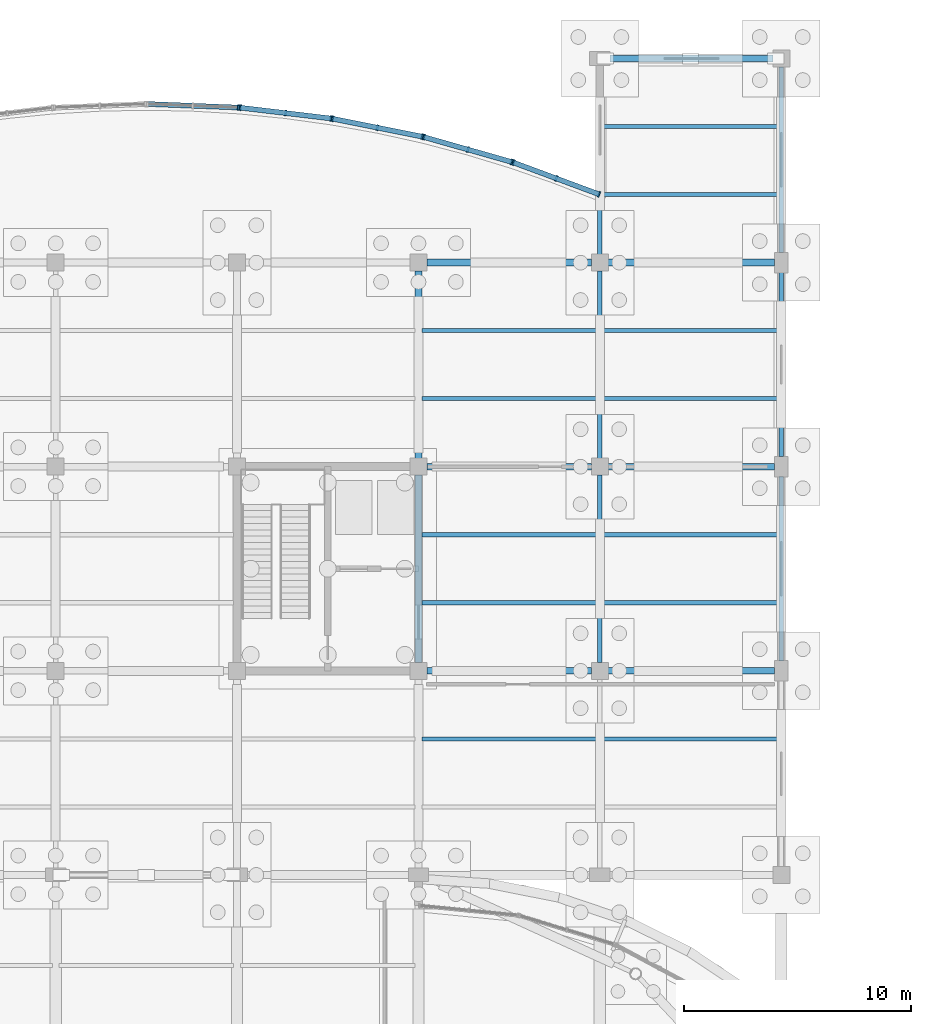
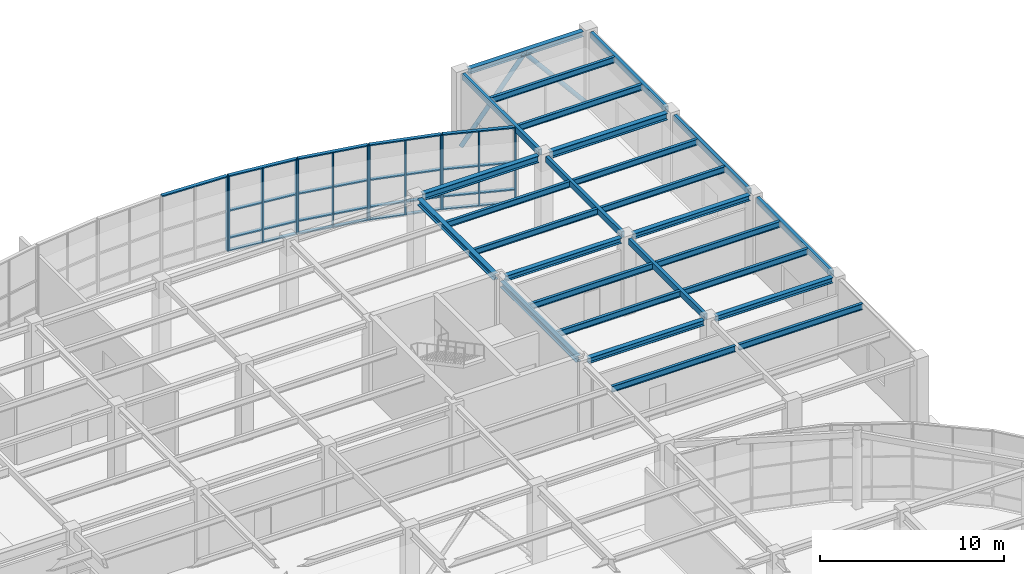
# One storey, part 50 of 85: 32 members, 27 beams, 5 elements without a shape of their own.
"""IFC4 building model written with IfcOpenShell, lengths in metres."""

from ifc_helpers import new_model, si_unit, direction, frame, origin, origin_2d, place, context, subcontext, project, spatial, rectangle, hollow_rectangle, hollow_circle, i_section, extrude, material, layer, layer_set, material_profile, profile_set, type_object, element, aggregate, save


model = new_model("IFC4")

# Units and contexts
model_context = context("Model", 3, precision=1e-05, world=origin(), true_north=direction((0.0, 1.0)))
body_context = subcontext(model_context, "Body", "Model", "MODEL_VIEW")
ifc_project = project(units=[si_unit("LENGTHUNIT", "METRE"), si_unit("AREAUNIT", "SQUARE_METRE"), si_unit("VOLUMEUNIT", "CUBIC_METRE"), si_unit("PLANEANGLEUNIT", "RADIAN"), si_unit("MASSUNIT", "GRAM", prefix="KILO")], contexts=[model_context])

# Site, building, storey
site_placement = place(None, origin())
site = spatial("IfcSite", under=ifc_project, at=site_placement, CompositionType="ELEMENT")
building_placement = place(site_placement, origin())
building = spatial("IfcBuilding", under=site, at=building_placement, Name="Keelwater Ferry Terminal", CompositionType="ELEMENT")
storey_placement = place(building_placement, origin())
storey = spatial("IfcBuildingStorey", under=building, at=storey_placement, Name="L00", CompositionType="ELEMENT", Elevation=0.0)

# Members
ifc_material_1 = material(Name="Steel S355", Category="steel")
ifc_material_profile_1 = material_profile(ifc_material_1, hollow_circle(Radius=0.136474609375, WallThickness=0.012451171875, at=origin_2d()), Name="CHS 273x12.5")
ifc_profile_set_1 = profile_set([ifc_material_profile_1], Name="Steel S355")
member_type_1 = type_object("IfcMemberType", Name="BR2 CHS 273x12.5", PredefinedType="BRACE", material=ifc_profile_set_1)
for number, where, z_axis, x_axis, name in (
    (1, (172.0, 126.0, 0.0), (0.63939331492, 0.0, 0.768879827304), (0.0, 1.0, 0.0), "Structural Member MB-L00-0579"),
    (2, (180.0, 126.0, 0.0), (-0.63939331492, 0.0, 0.768879827304), (0.0, -1.0, 0.0), "Structural Member MB-L00-0580"),
):
    element("IfcMember", number, at=place(storey_placement, frame(where, z_axis=z_axis, x_axis=x_axis)), inside=storey, type_object=member_type_1, Name=name, PredefinedType="BRACE", context=body_context, shape_type="SweptSolid", body=[
        extrude(hollow_circle(Radius=0.136474609375, WallThickness=0.012451171875, at=origin_2d()), origin(), (0.0, 0.0, 1.0), 6.255859375),
    ])

# Curtain wall, members
ifc_material_2 = material(Name="Thermally broken unitised aluminium and triple glass", Category="aluminium")
ifc_layer = layer(ifc_material_2, 0.179931640625)
ifc_layer_set = layer_set([ifc_layer], Name="Thermally broken unitised aluminium and triple glass")
curtain_wall_type = type_object("IfcCurtainWallType", Name="CW-20 Unitised Curtain Wall 4015x4950", PredefinedType="USERDEFINED", material=ifc_layer_set)
curtain_wall_1_placement = place(storey_placement, origin())
curtain_wall_1 = element("IfcCurtainWall", 3, at=curtain_wall_1_placement, inside=storey, type_object=curtain_wall_type, Name="Unitised Curtain Wall CW-L00-173", ObjectType="UNITISED CURTAIN WALL", PredefinedType="USERDEFINED")
ifc_material_3 = material(Name="Aluminium mullion", Category="aluminium")
ifc_material_profile_2 = material_profile(ifc_material_3, rectangle(XDim=0.080078125, YDim=0.25, at=origin_2d()), Name="CWM-04")
ifc_profile_set_2 = profile_set([ifc_material_profile_2], Name="Aluminium mullion")
member_type_2 = type_object("IfcMemberType", Name="CWM-04 Curtain Mullion 80x250", PredefinedType="MULLION", material=ifc_profile_set_2)
member_1_placement = place(storey_placement, frame((171.9580078125, 120.01611328125, 0.0), z_axis=(0.0, 0.0, 1.0), x_axis=(-0.937592418253, 0.347736189136, 0.0)))
member_1 = element("IfcMember", 4, at=member_1_placement, type_object=member_type_2, Name="CW-L00-173 Mullion 1", PredefinedType="MULLION", context=body_context, shape_type="SweptSolid", body=[
    extrude(rectangle(XDim=0.080078125, YDim=0.25, at=origin_2d()), origin(), (0.0, 0.0, 1.0), 4.949951171875),
])
member_2_placement = place(storey_placement, frame((170.075927734375, 120.714111328125, 0.0), z_axis=(0.0, 0.0, 1.0), x_axis=(-0.937592418253, 0.347736189136, 0.0)))
member_2 = element("IfcMember", 5, at=member_2_placement, type_object=member_type_2, Name="CW-L00-173 Mullion 2", PredefinedType="MULLION", context=body_context, shape_type="SweptSolid", body=[
    extrude(rectangle(XDim=0.080078125, YDim=0.25, at=origin_2d()), origin(), (0.0, 0.0, 1.0), 4.949951171875),
])
member_3_placement = place(storey_placement, frame((168.194091796875, 121.412109375, 0.0), z_axis=(0.0, 0.0, 1.0), x_axis=(-0.937592418253, 0.347736189136, 0.0)))
member_3 = element("IfcMember", 6, at=member_3_placement, type_object=member_type_2, Name="CW-L00-173 Mullion 3", PredefinedType="MULLION", context=body_context, shape_type="SweptSolid", body=[
    extrude(rectangle(XDim=0.080078125, YDim=0.25, at=origin_2d()), origin(), (0.0, 0.0, 1.0), 4.949951171875),
])

curtain_wall_2_placement = place(storey_placement, origin())
curtain_wall_2 = element("IfcCurtainWall", 7, at=curtain_wall_2_placement, inside=storey, type_object=curtain_wall_type, Name="Unitised Curtain Wall CW-L00-174", ObjectType="UNITISED CURTAIN WALL", PredefinedType="USERDEFINED")
member_4_placement = place(storey_placement, frame((168.10888671875, 121.43994140625, 0.0), z_axis=(0.0, 0.0, 1.0), x_axis=(-0.962029778706, 0.272944508797, 0.0)))
member_4 = element("IfcMember", 8, at=member_4_placement, type_object=member_type_2, Name="CW-L00-174 Mullion 1", PredefinedType="MULLION", context=body_context, shape_type="SweptSolid", body=[
    extrude(rectangle(XDim=0.080078125, YDim=0.25, at=origin_2d()), origin(), (0.0, 0.0, 1.0), 4.949951171875),
])
member_5_placement = place(storey_placement, frame((166.177490234375, 121.988037109375, 0.0), z_axis=(0.0, 0.0, 1.0), x_axis=(-0.962029778706, 0.272944508797, 0.0)))
member_5 = element("IfcMember", 9, at=member_5_placement, type_object=member_type_2, Name="CW-L00-174 Mullion 2", PredefinedType="MULLION", context=body_context, shape_type="SweptSolid", body=[
    extrude(rectangle(XDim=0.080078125, YDim=0.25, at=origin_2d()), origin(), (0.0, 0.0, 1.0), 4.949951171875),
])
member_6_placement = place(storey_placement, frame((164.24609375, 122.535888671875, 0.0), z_axis=(0.0, 0.0, 1.0), x_axis=(-0.962029778706, 0.272944508797, 0.0)))
member_6 = element("IfcMember", 10, at=member_6_placement, type_object=member_type_2, Name="CW-L00-174 Mullion 3", PredefinedType="MULLION", context=body_context, shape_type="SweptSolid", body=[
    extrude(rectangle(XDim=0.080078125, YDim=0.25, at=origin_2d()), origin(), (0.0, 0.0, 1.0), 4.949951171875),
])

curtain_wall_3_placement = place(storey_placement, origin())
curtain_wall_3 = element("IfcCurtainWall", 11, at=curtain_wall_3_placement, inside=storey, type_object=curtain_wall_type, Name="Unitised Curtain Wall CW-L00-175", ObjectType="UNITISED CURTAIN WALL", PredefinedType="USERDEFINED")
member_7_placement = place(storey_placement, frame((164.158935546875, 122.556884765625, 0.0), z_axis=(0.0, 0.0, 1.0), x_axis=(-0.98059983046, 0.196020336958, 0.0)))
member_7 = element("IfcMember", 12, at=member_7_placement, type_object=member_type_2, Name="CW-L00-175 Mullion 1", PredefinedType="MULLION", context=body_context, shape_type="SweptSolid", body=[
    extrude(rectangle(XDim=0.080078125, YDim=0.25, at=origin_2d()), origin(), (0.0, 0.0, 1.0), 4.949951171875),
])
member_8_placement = place(storey_placement, frame((162.1904296875, 122.950439453125, 0.0), z_axis=(0.0, 0.0, 1.0), x_axis=(-0.98059983046, 0.196020336958, 0.0)))
member_8 = element("IfcMember", 13, at=member_8_placement, type_object=member_type_2, Name="CW-L00-175 Mullion 2", PredefinedType="MULLION", context=body_context, shape_type="SweptSolid", body=[
    extrude(rectangle(XDim=0.080078125, YDim=0.25, at=origin_2d()), origin(), (0.0, 0.0, 1.0), 4.949951171875),
])
member_9_placement = place(storey_placement, frame((160.221923828125, 123.343994140625, 0.0), z_axis=(0.0, 0.0, 1.0), x_axis=(-0.98059983046, 0.196020336958, 0.0)))
member_9 = element("IfcMember", 14, at=member_9_placement, type_object=member_type_2, Name="CW-L00-175 Mullion 3", PredefinedType="MULLION", context=body_context, shape_type="SweptSolid", body=[
    extrude(rectangle(XDim=0.080078125, YDim=0.25, at=origin_2d()), origin(), (0.0, 0.0, 1.0), 4.949951171875),
])

curtain_wall_4_placement = place(storey_placement, origin())
curtain_wall_4 = element("IfcCurtainWall", 15, at=curtain_wall_4_placement, inside=storey, type_object=curtain_wall_type, Name="Unitised Curtain Wall CW-L00-176", ObjectType="UNITISED CURTAIN WALL", PredefinedType="USERDEFINED")
member_10_placement = place(storey_placement, frame((160.133056640625, 123.35791015625, 0.0), z_axis=(0.0, 0.0, 1.0), x_axis=(-0.992974342459, 0.118329857676, 0.0)))
member_10 = element("IfcMember", 16, at=member_10_placement, type_object=member_type_2, Name="CW-L00-176 Mullion 1", PredefinedType="MULLION", context=body_context, shape_type="SweptSolid", body=[
    extrude(rectangle(XDim=0.080078125, YDim=0.25, at=origin_2d()), origin(), (0.0, 0.0, 1.0), 4.949951171875),
])
member_11_placement = place(storey_placement, frame((158.139892578125, 123.595458984375, 0.0), z_axis=(0.0, 0.0, 1.0), x_axis=(-0.992974342459, 0.118329857676, 0.0)))
member_11 = element("IfcMember", 17, at=member_11_placement, type_object=member_type_2, Name="CW-L00-176 Mullion 2", PredefinedType="MULLION", context=body_context, shape_type="SweptSolid", body=[
    extrude(rectangle(XDim=0.080078125, YDim=0.25, at=origin_2d()), origin(), (0.0, 0.0, 1.0), 4.949951171875),
])
member_12_placement = place(storey_placement, frame((156.14697265625, 123.8330078125, 0.0), z_axis=(0.0, 0.0, 1.0), x_axis=(-0.992974342459, 0.118329857676, 0.0)))
member_12 = element("IfcMember", 18, at=member_12_placement, type_object=member_type_2, Name="CW-L00-176 Mullion 3", PredefinedType="MULLION", context=body_context, shape_type="SweptSolid", body=[
    extrude(rectangle(XDim=0.080078125, YDim=0.25, at=origin_2d()), origin(), (0.0, 0.0, 1.0), 4.949951171875),
])

# Curtain wall, member
curtain_wall_5_placement = place(storey_placement, origin())
curtain_wall_5 = element("IfcCurtainWall", 19, at=curtain_wall_5_placement, inside=storey, type_object=curtain_wall_type, Name="Unitised Curtain Wall CW-L00-177", ObjectType="UNITISED CURTAIN WALL", PredefinedType="USERDEFINED")
member_13_placement = place(storey_placement, frame((156.056884765625, 123.840087890625, 0.0), z_axis=(0.0, 0.0, 1.0), x_axis=(-0.999225435626, 0.039351350652, 0.0)))
member_13 = element("IfcMember", 20, at=member_13_placement, type_object=member_type_2, Name="CW-L00-177 Mullion 1", PredefinedType="MULLION", context=body_context, shape_type="SweptSolid", body=[
    extrude(rectangle(XDim=0.080078125, YDim=0.25, at=origin_2d()), origin(), (0.0, 0.0, 1.0), 4.949951171875),
])

# Member
ifc_material_4 = material(Name="Aluminium mullion", Category="aluminium")
ifc_material_profile_3 = material_profile(ifc_material_4, rectangle(XDim=0.219970703125, YDim=0.080078125, at=origin_2d()), Name="CWT-04")
ifc_profile_set_3 = profile_set([ifc_material_profile_3], Name="Aluminium mullion")
member_type_3 = type_object("IfcMemberType", Name="CWT-04 Curtain Transom 80x220", PredefinedType="USERDEFINED", material=ifc_profile_set_3)
member_14_placement = place(storey_placement, frame((171.9580078125, 120.01611328125, 0.0), z_axis=(-0.937590205769, 0.347742154543, 0.0), x_axis=(-0.347742154543, -0.937590205769, 0.0)))
member_14 = element("IfcMember", 21, at=member_14_placement, type_object=member_type_3, Name="CW-L00-173 Transom 1", ObjectType="TRANSOM", PredefinedType="USERDEFINED", context=body_context, shape_type="SweptSolid", body=[
    extrude(rectangle(XDim=0.219970703125, YDim=0.080078125, at=origin_2d()), origin(), (0.0, 0.0, 1.0), 4.014404296875),
])

member_15_placement = place(storey_placement, frame((171.9580078125, 120.01611328125, 0.85009765625), z_axis=(-0.937590205769, 0.347742154543, 0.0), x_axis=(-0.347742154543, -0.937590205769, 0.0)))
member_15 = element("IfcMember", 22, at=member_15_placement, type_object=member_type_3, Name="CW-L00-173 Transom 2", ObjectType="TRANSOM", PredefinedType="USERDEFINED", context=body_context, shape_type="SweptSolid", body=[
    extrude(rectangle(XDim=0.219970703125, YDim=0.080078125, at=origin_2d()), origin(), (0.0, 0.0, 1.0), 4.014404296875),
])

member_16_placement = place(storey_placement, frame((171.9580078125, 120.01611328125, 2.64990234375), z_axis=(-0.937590205769, 0.347742154543, 0.0), x_axis=(-0.347742154543, -0.937590205769, 0.0)))
member_16 = element("IfcMember", 23, at=member_16_placement, type_object=member_type_3, Name="CW-L00-173 Transom 3", ObjectType="TRANSOM", PredefinedType="USERDEFINED", context=body_context, shape_type="SweptSolid", body=[
    extrude(rectangle(XDim=0.219970703125, YDim=0.080078125, at=origin_2d()), origin(), (0.0, 0.0, 1.0), 4.014404296875),
])

member_17_placement = place(storey_placement, frame((171.9580078125, 120.01611328125, 4.949951171875), z_axis=(-0.937590205769, 0.347742154543, 0.0), x_axis=(-0.347742154543, -0.937590205769, 0.0)))
member_17 = element("IfcMember", 24, at=member_17_placement, type_object=member_type_3, Name="CW-L00-173 Transom 4", ObjectType="TRANSOM", PredefinedType="USERDEFINED", context=body_context, shape_type="SweptSolid", body=[
    extrude(rectangle(XDim=0.219970703125, YDim=0.080078125, at=origin_2d()), origin(), (0.0, 0.0, 1.0), 4.014404296875),
])

aggregate(curtain_wall_1, [member_1, member_2, member_3, member_14, member_15, member_16, member_17])

member_18_placement = place(storey_placement, frame((168.10888671875, 121.43994140625, 0.0), z_axis=(-0.962029386072, 0.272945892686, 0.0), x_axis=(-0.272945892686, -0.962029386072, 0.0)))
member_18 = element("IfcMember", 25, at=member_18_placement, type_object=member_type_3, Name="CW-L00-174 Transom 1", ObjectType="TRANSOM", PredefinedType="USERDEFINED", context=body_context, shape_type="SweptSolid", body=[
    extrude(rectangle(XDim=0.219970703125, YDim=0.080078125, at=origin_2d()), origin(), (0.0, 0.0, 1.0), 4.01513671875),
])

member_19_placement = place(storey_placement, frame((168.10888671875, 121.43994140625, 0.85009765625), z_axis=(-0.962029386072, 0.272945892686, 0.0), x_axis=(-0.272945892686, -0.962029386072, 0.0)))
member_19 = element("IfcMember", 26, at=member_19_placement, type_object=member_type_3, Name="CW-L00-174 Transom 2", ObjectType="TRANSOM", PredefinedType="USERDEFINED", context=body_context, shape_type="SweptSolid", body=[
    extrude(rectangle(XDim=0.219970703125, YDim=0.080078125, at=origin_2d()), origin(), (0.0, 0.0, 1.0), 4.01513671875),
])

member_20_placement = place(storey_placement, frame((168.10888671875, 121.43994140625, 2.64990234375), z_axis=(-0.962029386072, 0.272945892686, 0.0), x_axis=(-0.272945892686, -0.962029386072, 0.0)))
member_20 = element("IfcMember", 27, at=member_20_placement, type_object=member_type_3, Name="CW-L00-174 Transom 3", ObjectType="TRANSOM", PredefinedType="USERDEFINED", context=body_context, shape_type="SweptSolid", body=[
    extrude(rectangle(XDim=0.219970703125, YDim=0.080078125, at=origin_2d()), origin(), (0.0, 0.0, 1.0), 4.01513671875),
])

member_21_placement = place(storey_placement, frame((168.10888671875, 121.43994140625, 4.949951171875), z_axis=(-0.962029386072, 0.272945892686, 0.0), x_axis=(-0.272945892686, -0.962029386072, 0.0)))
member_21 = element("IfcMember", 28, at=member_21_placement, type_object=member_type_3, Name="CW-L00-174 Transom 4", ObjectType="TRANSOM", PredefinedType="USERDEFINED", context=body_context, shape_type="SweptSolid", body=[
    extrude(rectangle(XDim=0.219970703125, YDim=0.080078125, at=origin_2d()), origin(), (0.0, 0.0, 1.0), 4.01513671875),
])

aggregate(curtain_wall_2, [member_4, member_5, member_6, member_18, member_19, member_20, member_21])

member_22_placement = place(storey_placement, frame((164.158935546875, 122.556884765625, 0.0), z_axis=(-0.980594705866, 0.196045971209, 0.0), x_axis=(-0.196045971209, -0.980594705866, 0.0)))
member_22 = element("IfcMember", 29, at=member_22_placement, type_object=member_type_3, Name="CW-L00-175 Transom 1", ObjectType="TRANSOM", PredefinedType="USERDEFINED", context=body_context, shape_type="SweptSolid", body=[
    extrude(rectangle(XDim=0.219970703125, YDim=0.080078125, at=origin_2d()), origin(), (0.0, 0.0, 1.0), 4.014892578125),
])

member_23_placement = place(storey_placement, frame((164.158935546875, 122.556884765625, 0.85009765625), z_axis=(-0.980594705866, 0.196045971209, 0.0), x_axis=(-0.196045971209, -0.980594705866, 0.0)))
member_23 = element("IfcMember", 30, at=member_23_placement, type_object=member_type_3, Name="CW-L00-175 Transom 2", ObjectType="TRANSOM", PredefinedType="USERDEFINED", context=body_context, shape_type="SweptSolid", body=[
    extrude(rectangle(XDim=0.219970703125, YDim=0.080078125, at=origin_2d()), origin(), (0.0, 0.0, 1.0), 4.014892578125),
])

member_24_placement = place(storey_placement, frame((164.158935546875, 122.556884765625, 2.64990234375), z_axis=(-0.980594705866, 0.196045971209, 0.0), x_axis=(-0.196045971209, -0.980594705866, 0.0)))
member_24 = element("IfcMember", 31, at=member_24_placement, type_object=member_type_3, Name="CW-L00-175 Transom 3", ObjectType="TRANSOM", PredefinedType="USERDEFINED", context=body_context, shape_type="SweptSolid", body=[
    extrude(rectangle(XDim=0.219970703125, YDim=0.080078125, at=origin_2d()), origin(), (0.0, 0.0, 1.0), 4.014892578125),
])

member_25_placement = place(storey_placement, frame((164.158935546875, 122.556884765625, 4.949951171875), z_axis=(-0.980594705866, 0.196045971209, 0.0), x_axis=(-0.196045971209, -0.980594705866, 0.0)))
member_25 = element("IfcMember", 32, at=member_25_placement, type_object=member_type_3, Name="CW-L00-175 Transom 4", ObjectType="TRANSOM", PredefinedType="USERDEFINED", context=body_context, shape_type="SweptSolid", body=[
    extrude(rectangle(XDim=0.219970703125, YDim=0.080078125, at=origin_2d()), origin(), (0.0, 0.0, 1.0), 4.014892578125),
])

aggregate(curtain_wall_3, [member_7, member_8, member_9, member_22, member_23, member_24, member_25])

member_26_placement = place(storey_placement, frame((160.133056640625, 123.35791015625, 0.0), z_axis=(-0.992971776767, 0.1183513859, 0.0), x_axis=(-0.1183513859, -0.992971776767, 0.0)))
member_26 = element("IfcMember", 33, at=member_26_placement, type_object=member_type_3, Name="CW-L00-176 Transom 1", ObjectType="TRANSOM", PredefinedType="USERDEFINED", context=body_context, shape_type="SweptSolid", body=[
    extrude(rectangle(XDim=0.219970703125, YDim=0.080078125, at=origin_2d()), origin(), (0.0, 0.0, 1.0), 4.014404296875),
])

member_27_placement = place(storey_placement, frame((160.133056640625, 123.35791015625, 0.85009765625), z_axis=(-0.992971776767, 0.1183513859, 0.0), x_axis=(-0.1183513859, -0.992971776767, 0.0)))
member_27 = element("IfcMember", 34, at=member_27_placement, type_object=member_type_3, Name="CW-L00-176 Transom 2", ObjectType="TRANSOM", PredefinedType="USERDEFINED", context=body_context, shape_type="SweptSolid", body=[
    extrude(rectangle(XDim=0.219970703125, YDim=0.080078125, at=origin_2d()), origin(), (0.0, 0.0, 1.0), 4.014404296875),
])

member_28_placement = place(storey_placement, frame((160.133056640625, 123.35791015625, 2.64990234375), z_axis=(-0.992971776767, 0.1183513859, 0.0), x_axis=(-0.1183513859, -0.992971776767, 0.0)))
member_28 = element("IfcMember", 35, at=member_28_placement, type_object=member_type_3, Name="CW-L00-176 Transom 3", ObjectType="TRANSOM", PredefinedType="USERDEFINED", context=body_context, shape_type="SweptSolid", body=[
    extrude(rectangle(XDim=0.219970703125, YDim=0.080078125, at=origin_2d()), origin(), (0.0, 0.0, 1.0), 4.014404296875),
])

member_29_placement = place(storey_placement, frame((160.133056640625, 123.35791015625, 4.949951171875), z_axis=(-0.992971776767, 0.1183513859, 0.0), x_axis=(-0.1183513859, -0.992971776767, 0.0)))
member_29 = element("IfcMember", 36, at=member_29_placement, type_object=member_type_3, Name="CW-L00-176 Transom 4", ObjectType="TRANSOM", PredefinedType="USERDEFINED", context=body_context, shape_type="SweptSolid", body=[
    extrude(rectangle(XDim=0.219970703125, YDim=0.080078125, at=origin_2d()), origin(), (0.0, 0.0, 1.0), 4.014404296875),
])

aggregate(curtain_wall_4, [member_10, member_11, member_12, member_26, member_27, member_28, member_29])

member_30_placement = place(storey_placement, frame((156.056884765625, 123.840087890625, 4.949951171875), z_axis=(-0.999225822944, 0.03934151448, 0.0), x_axis=(-0.03934151448, -0.999225822944, 0.0)))
member_30 = element("IfcMember", 37, at=member_30_placement, type_object=member_type_3, Name="CW-L00-177 Transom 4", ObjectType="TRANSOM", PredefinedType="USERDEFINED", context=body_context, shape_type="SweptSolid", body=[
    extrude(rectangle(XDim=0.219970703125, YDim=0.080078125, at=origin_2d()), origin(), (0.0, 0.0, 1.0), 4.01513671875),
])

aggregate(curtain_wall_5, [member_13, member_30])

# Beams
ifc_material_5 = material(Name="Steel S355", Category="steel")
ifc_material_profile_4 = material_profile(ifc_material_5, i_section(OverallWidth=0.300048828125, OverallDepth=0.449951171875, WebThickness=0.013916015625, FlangeThickness=0.02587890625, at=origin_2d()), Name="HEB 450")
ifc_profile_set_4 = profile_set([ifc_material_profile_4], Name="Steel S355")
beam_type_1 = type_object("IfcBeamType", Name="G6 HEB 450", PredefinedType="BEAM", material=ifc_profile_set_4)
beam_1_placement = place(storey_placement, frame((164.367919921875, 117.0, 4.8349609375), z_axis=(1.0, 0.0, 0.0), x_axis=(0.0, 1.0, 0.0)))
element("IfcBeam", 38, at=beam_1_placement, inside=storey, type_object=beam_type_1, Name="Beam BM-L00-0144", PredefinedType="BEAM", context=body_context, shape_type="SweptSolid", body=[
    extrude(i_section(OverallWidth=0.300048828125, OverallDepth=0.449951171875, WebThickness=0.013916015625, FlangeThickness=0.02587890625, at=origin_2d()), origin(), (0.0, 0.0, 1.0), 7.26416015625),
])
beam_2_placement = place(storey_placement, frame((172.367919921875, 117.0, 4.8349609375), z_axis=(1.0, 0.0, 0.0), x_axis=(0.0, 1.0, 0.0)))
element("IfcBeam", 39, at=beam_2_placement, inside=storey, type_object=beam_type_1, Name="Beam BM-L00-0145", PredefinedType="BEAM", context=body_context, shape_type="SweptSolid", body=[
    extrude(i_section(OverallWidth=0.300048828125, OverallDepth=0.449951171875, WebThickness=0.013916015625, FlangeThickness=0.02587890625, at=origin_2d()), origin(), (0.0, 0.0, 1.0), 7.338134765625),
])
ifc_material_6 = material(Name="Steel S355", Category="steel")
ifc_material_profile_5 = material_profile(ifc_material_6, i_section(OverallWidth=0.300048828125, OverallDepth=0.39990234375, WebThickness=0.013427734375, FlangeThickness=0.02392578125, at=origin_2d()), Name="HEB 400")
ifc_profile_set_5 = profile_set([ifc_material_profile_5], Name="Steel S355")
beam_type_2 = type_object("IfcBeamType", Name="G7 HEB 400", PredefinedType="BEAM", material=ifc_profile_set_5)
for number, where, z_axis, x_axis, name in (
    (40, (164.0, 99.367919921875, 4.860107421875), (0.0, 1.0, 0.0), (-1.0, 0.0, 0.0), "Beam BM-L00-0290"),
    (41, (164.0, 108.367919921875, 4.860107421875), (0.0, 1.0, 0.0), (-1.0, 0.0, 0.0), "Beam BM-L00-0291"),
):
    element("IfcBeam", number, at=place(storey_placement, frame(where, z_axis=z_axis, x_axis=x_axis)), inside=storey, type_object=beam_type_2, Name=name, PredefinedType="BEAM", context=body_context, shape_type="SweptSolid", body=[
        extrude(i_section(OverallWidth=0.300048828125, OverallDepth=0.39990234375, WebThickness=0.013427734375, FlangeThickness=0.02392578125, at=origin_2d()), origin(), (0.0, 0.0, 1.0), 8.26416015625),
    ])
ifc_material_7 = material(Name="Steel S355", Category="steel")
ifc_material_profile_6 = material_profile(ifc_material_7, i_section(OverallWidth=0.179931640625, OverallDepth=0.39990234375, WebThickness=0.008544921875, FlangeThickness=0.013427734375, at=origin_2d()), Name="IPE 400")
ifc_profile_set_6 = profile_set([ifc_material_profile_6], Name="Steel S355")
beam_type_3 = type_object("IfcBeamType", Name="J5 IPE 400", PredefinedType="JOIST", material=ifc_profile_set_6)
for number, where, z_axis, x_axis, name in (
    (42, (164.14990234375, 96.0, 4.860107421875), (1.0, 0.0, 0.0), (0.0, 1.0, 0.0), "Beam BM-L00-0568"),
    (43, (164.14990234375, 102.0, 4.860107421875), (1.0, 0.0, 0.0), (0.0, 1.0, 0.0), "Beam BM-L00-0569"),
    (44, (164.14990234375, 105.0, 4.860107421875), (1.0, 0.0, 0.0), (0.0, 1.0, 0.0), "Beam BM-L00-0570"),
    (45, (164.14990234375, 111.0, 4.860107421875), (1.0, 0.0, 0.0), (0.0, 1.0, 0.0), "Beam BM-L00-0571"),
    (46, (164.14990234375, 114.0, 4.860107421875), (1.0, 0.0, 0.0), (0.0, 1.0, 0.0), "Beam BM-L00-0572"),
):
    element("IfcBeam", number, at=place(storey_placement, frame(where, z_axis=z_axis, x_axis=x_axis)), inside=storey, type_object=beam_type_3, Name=name, PredefinedType="JOIST", context=body_context, shape_type="SweptSolid", body=[
        extrude(i_section(OverallWidth=0.179931640625, OverallDepth=0.39990234375, WebThickness=0.008544921875, FlangeThickness=0.013427734375, at=origin_2d()), origin(), (0.0, 0.0, 1.0), 7.75),
    ])
for number, where, z_axis, x_axis, name in (
    (47, (172.10009765625, 96.0, 4.860107421875), (1.0, 0.0, 0.0), (0.0, 1.0, 0.0), "Beam BM-L00-0578"),
    (48, (172.10009765625, 102.0, 4.860107421875), (1.0, 0.0, 0.0), (0.0, 1.0, 0.0), "Beam BM-L00-0579"),
    (49, (172.10009765625, 105.0, 4.860107421875), (1.0, 0.0, 0.0), (0.0, 1.0, 0.0), "Beam BM-L00-0580"),
    (50, (172.10009765625, 111.0, 4.860107421875), (1.0, 0.0, 0.0), (0.0, 1.0, 0.0), "Beam BM-L00-0581"),
    (51, (172.10009765625, 114.0, 4.860107421875), (1.0, 0.0, 0.0), (0.0, 1.0, 0.0), "Beam BM-L00-0582"),
    (52, (172.10009765625, 120.0, 4.860107421875), (1.0, 0.0, 0.0), (0.0, 1.0, 0.0), "Beam BM-L00-0583"),
    (53, (172.10009765625, 123.0, 4.860107421875), (1.0, 0.0, 0.0), (0.0, 1.0, 0.0), "Beam BM-L00-0584"),
):
    element("IfcBeam", number, at=place(storey_placement, frame(where, z_axis=z_axis, x_axis=x_axis)), inside=storey, type_object=beam_type_3, Name=name, PredefinedType="JOIST", context=body_context, shape_type="SweptSolid", body=[
        extrude(i_section(OverallWidth=0.179931640625, OverallDepth=0.39990234375, WebThickness=0.008544921875, FlangeThickness=0.013427734375, at=origin_2d()), origin(), (0.0, 0.0, 1.0), 7.7998046875),
    ])
ifc_material_8 = material(Name="Steel S355", Category="steel")
ifc_material_profile_7 = material_profile(ifc_material_8, i_section(OverallWidth=0.300048828125, OverallDepth=0.35009765625, WebThickness=0.010009765625, FlangeThickness=0.017578125, at=origin_2d()), Name="HEA 360")
ifc_profile_set_7 = profile_set([ifc_material_profile_7], Name="Steel S355")
beam_type_4 = type_object("IfcBeamType", Name="SP1E HEA 360", PredefinedType="SPANDREL", material=ifc_profile_set_7)
beam_3_placement = place(storey_placement, frame((164.367919921875, 99.0, 4.885009765625), z_axis=(1.0, 0.0, 0.0), x_axis=(0.0, 1.0, 0.0)))
element("IfcBeam", 54, at=beam_3_placement, inside=storey, type_object=beam_type_4, Name="Beam BM-L00-0115", PredefinedType="SPANDREL", context=body_context, shape_type="SweptSolid", body=[
    extrude(i_section(OverallWidth=0.300048828125, OverallDepth=0.35009765625, WebThickness=0.010009765625, FlangeThickness=0.017578125, at=origin_2d()), origin(), (0.0, 0.0, 1.0), 7.26416015625),
])
beam_4_placement = place(storey_placement, frame((172.367919921875, 99.0, 4.885009765625), z_axis=(1.0, 0.0, 0.0), x_axis=(0.0, 1.0, 0.0)))
element("IfcBeam", 55, at=beam_4_placement, inside=storey, type_object=beam_type_4, Name="Beam BM-L00-0116", PredefinedType="SPANDREL", context=body_context, shape_type="SweptSolid", body=[
    extrude(i_section(OverallWidth=0.300048828125, OverallDepth=0.35009765625, WebThickness=0.010009765625, FlangeThickness=0.017578125, at=origin_2d()), origin(), (0.0, 0.0, 1.0), 7.338134765625),
])
beam_5_placement = place(storey_placement, frame((164.367919921875, 108.0, 4.885009765625), z_axis=(1.0, 0.0, 0.0), x_axis=(0.0, 1.0, 0.0)))
element("IfcBeam", 56, at=beam_5_placement, inside=storey, type_object=beam_type_4, Name="Beam BM-L00-0131", PredefinedType="SPANDREL", context=body_context, shape_type="SweptSolid", body=[
    extrude(i_section(OverallWidth=0.300048828125, OverallDepth=0.35009765625, WebThickness=0.010009765625, FlangeThickness=0.017578125, at=origin_2d()), origin(), (0.0, 0.0, 1.0), 7.26416015625),
])
beam_6_placement = place(storey_placement, frame((172.367919921875, 108.0, 4.885009765625), z_axis=(1.0, 0.0, 0.0), x_axis=(0.0, 1.0, 0.0)))
element("IfcBeam", 57, at=beam_6_placement, inside=storey, type_object=beam_type_4, Name="Beam BM-L00-0132", PredefinedType="SPANDREL", context=body_context, shape_type="SweptSolid", body=[
    extrude(i_section(OverallWidth=0.300048828125, OverallDepth=0.35009765625, WebThickness=0.010009765625, FlangeThickness=0.017578125, at=origin_2d()), origin(), (0.0, 0.0, 1.0), 7.338134765625),
])
beam_7_placement = place(storey_placement, frame((172.44091796875, 126.0, 4.885009765625), z_axis=(1.0, 0.0, 0.0), x_axis=(0.0, 1.0, 0.0)))
element("IfcBeam", 58, at=beam_7_placement, inside=storey, type_object=beam_type_4, Name="Beam BM-L00-0153", PredefinedType="SPANDREL", context=body_context, shape_type="SweptSolid", body=[
    extrude(i_section(OverallWidth=0.300048828125, OverallDepth=0.35009765625, WebThickness=0.010009765625, FlangeThickness=0.017578125, at=origin_2d()), origin(), (0.0, 0.0, 1.0), 7.191162109375),
])
ifc_material_9 = material(Name="Steel S355", Category="steel")
ifc_material_profile_8 = material_profile(ifc_material_9, hollow_rectangle(XDim=0.199951171875, YDim=0.39990234375, WallThickness=0.01611328125, at=origin_2d()), Name="RHS 400x200x16")
ifc_profile_set_8 = profile_set([ifc_material_profile_8], Name="Steel S355")
beam_type_5 = type_object("IfcBeamType", Name="SP3E RHS 400x200x16", PredefinedType="SPANDREL", material=ifc_profile_set_8)
for number, where, z_axis, x_axis, name in (
    (59, (172.0, 99.367919921875, 4.860107421875), (0.0, 1.0, 0.0), (-1.0, 0.0, 0.0), "Beam BM-L00-0295"),
    (60, (172.0, 108.367919921875, 4.860107421875), (0.0, 1.0, 0.0), (-1.0, 0.0, 0.0), "Beam BM-L00-0296"),
):
    element("IfcBeam", number, at=place(storey_placement, frame(where, z_axis=z_axis, x_axis=x_axis)), inside=storey, type_object=beam_type_5, Name=name, PredefinedType="SPANDREL", context=body_context, shape_type="SweptSolid", body=[
        extrude(hollow_rectangle(XDim=0.199951171875, YDim=0.39990234375, WallThickness=0.01611328125, at=origin_2d()), origin(), (0.0, 0.0, 1.0), 8.26416015625),
    ])
beam_8_placement = place(storey_placement, frame((172.0, 117.367919921875, 4.860107421875), z_axis=(0.0, 1.0, 0.0), x_axis=(-1.0, 0.0, 0.0)))
element("IfcBeam", 61, at=beam_8_placement, inside=storey, type_object=beam_type_5, Name="Beam BM-L00-0297", PredefinedType="SPANDREL", context=body_context, shape_type="SweptSolid", body=[
    extrude(hollow_rectangle(XDim=0.199951171875, YDim=0.39990234375, WallThickness=0.01611328125, at=origin_2d()), origin(), (0.0, 0.0, 1.0), 8.338134765625),
])
for number, where, z_axis, x_axis, name in (
    (62, (180.0, 99.44091796875, 4.860107421875), (0.0, 1.0, 0.0), (-1.0, 0.0, 0.0), "Beam BM-L00-0301"),
    (63, (180.0, 108.44091796875, 4.860107421875), (0.0, 1.0, 0.0), (-1.0, 0.0, 0.0), "Beam BM-L00-0302"),
):
    element("IfcBeam", number, at=place(storey_placement, frame(where, z_axis=z_axis, x_axis=x_axis)), inside=storey, type_object=beam_type_5, Name=name, PredefinedType="SPANDREL", context=body_context, shape_type="SweptSolid", body=[
        extrude(hollow_rectangle(XDim=0.199951171875, YDim=0.39990234375, WallThickness=0.01611328125, at=origin_2d()), origin(), (0.0, 0.0, 1.0), 8.1181640625),
    ])
beam_9_placement = place(storey_placement, frame((180.0, 117.44091796875, 4.860107421875), z_axis=(0.0, 1.0, 0.0), x_axis=(-1.0, 0.0, 0.0)))
element("IfcBeam", 64, at=beam_9_placement, inside=storey, type_object=beam_type_5, Name="Beam BM-L00-0303", PredefinedType="SPANDREL", context=body_context, shape_type="SweptSolid", body=[
    extrude(hollow_rectangle(XDim=0.199951171875, YDim=0.39990234375, WallThickness=0.01611328125, at=origin_2d()), origin(), (0.0, 0.0, 1.0), 8.191162109375),
])

save(model, "model.ifc")
